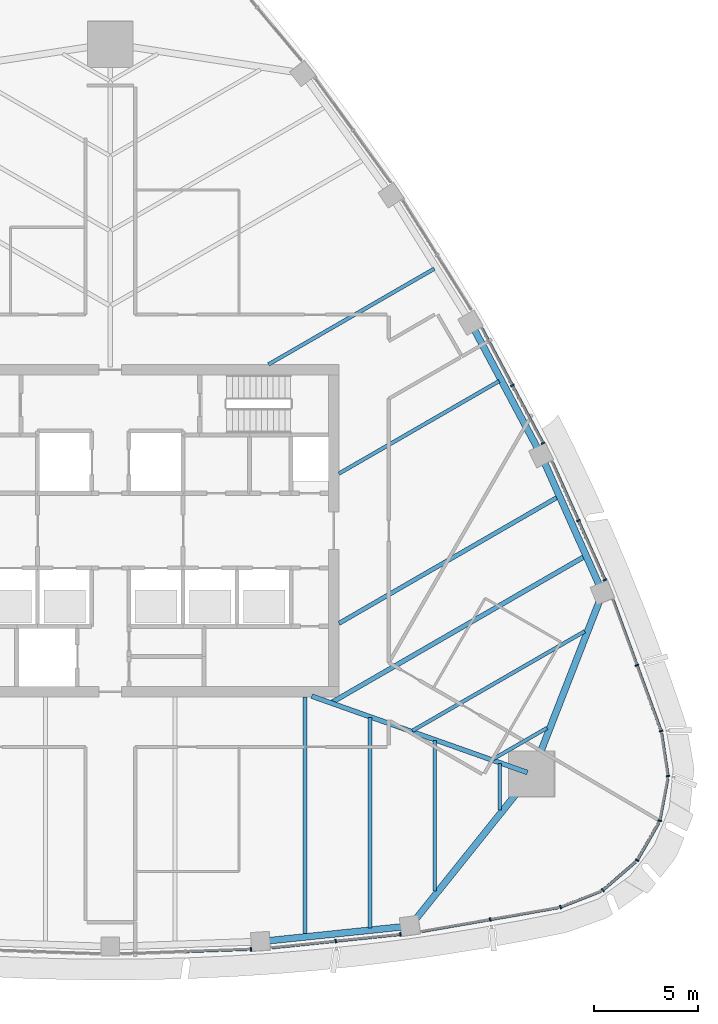
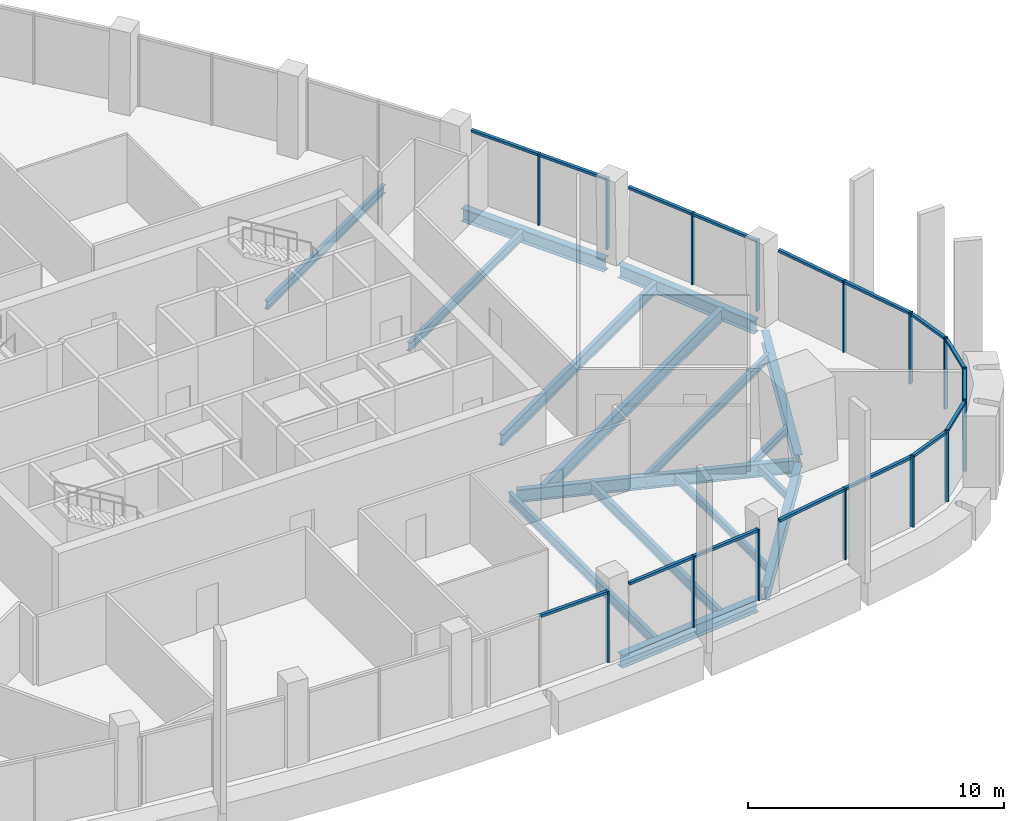
# One storey, part 4 of 16: 31 members, 16 beams, 11 elements without a shape of their own.
"""IFC4 building model written with IfcOpenShell, lengths in metres."""

from ifc_helpers import new_model, si_unit, direction, frame, origin, origin_2d, place, context, subcontext, project, spatial, rectangle, i_section, extrude, material, layer, layer_set, material_profile, profile_set, type_object, element, aggregate, save


model = new_model("IFC4")

# Units and contexts
model_context = context("Model", 3, precision=1e-05, world=origin(), true_north=direction((0.0, 1.0)))
body_context = subcontext(model_context, "Body", "Model", "MODEL_VIEW")
ifc_project = project(units=[si_unit("LENGTHUNIT", "METRE"), si_unit("AREAUNIT", "SQUARE_METRE"), si_unit("VOLUMEUNIT", "CUBIC_METRE"), si_unit("PLANEANGLEUNIT", "RADIAN"), si_unit("MASSUNIT", "GRAM", prefix="KILO")], contexts=[model_context])

# Site, building, storey
site_placement = place(None, origin())
site = spatial("IfcSite", under=ifc_project, at=site_placement, CompositionType="ELEMENT")
building_placement = place(site_placement, origin())
building = spatial("IfcBuilding", under=site, at=building_placement, Name="Sierra Prisma Convention Tower", CompositionType="ELEMENT")
storey_placement = place(building_placement, frame((0.0, 0.0, 303.0)))
storey = spatial("IfcBuildingStorey", under=building, at=storey_placement, Name="L69", CompositionType="ELEMENT", Elevation=303.0)

# Curtain wall, member
ifc_material_1 = material(Name="Aluminium and glass curtain wall", Category="aluminium")
ifc_layer = layer(ifc_material_1, 0.179931640625)
ifc_layer_set = layer_set([ifc_layer], Name="CW-1 Plain shaft curtain wall")
curtain_wall_type = type_object("IfcCurtainWallType", Name="CW-1 Plain shaft curtain wall", PredefinedType="NOTDEFINED", material=ifc_layer_set)
curtain_wall_1_placement = place(storey_placement, origin())
curtain_wall_1 = element("IfcCurtainWall", 1, at=curtain_wall_1_placement, inside=storey, type_object=curtain_wall_type, Name="CW-1 S4 L69", PredefinedType="NOTDEFINED")
ifc_material_2 = material(Name="Aluminium 6063-T6 bronze anodised", Category="aluminium")
ifc_material_profile_1 = material_profile(ifc_material_2, rectangle(XDim=0.179931640625, YDim=0.070068359375, at=origin_2d()), Name="ALU MULLION 70x180")
ifc_profile_set_1 = profile_set([ifc_material_profile_1], Name="Aluminium 6063-T6 bronze anodised")
member_type_1 = type_object("IfcMemberType", Name="CW mullion bronze", PredefinedType="MULLION", material=ifc_profile_set_1)
member_1_placement = place(storey_placement, frame((6.7607421875, -20.13671875, 0.0), z_axis=(0.0, 0.0, 1.0), x_axis=(-0.034470032902, 0.999405731839, 0.0)))
member_1 = element("IfcMember", 2, at=member_1_placement, type_object=member_type_1, Name="CW-1 mullion S4.3", PredefinedType="MULLION", context=body_context, shape_type="SweptSolid", body=[
    extrude(rectangle(XDim=0.179931640625, YDim=0.070068359375, at=origin_2d()), origin(), (0.0, 0.0, 1.0), 3.39990234375),
])

# Curtain wall, members
curtain_wall_2_placement = place(storey_placement, origin())
curtain_wall_2 = element("IfcCurtainWall", 3, at=curtain_wall_2_placement, inside=storey, type_object=curtain_wall_type, Name="CW-1 S5 L69", PredefinedType="NOTDEFINED")
member_2_placement = place(storey_placement, frame((10.84716796875, -19.7470703125, 0.0), z_axis=(0.0, 0.0, 1.0), x_axis=(-0.103246271836, 0.994655823565, 0.0)))
member_2 = element("IfcMember", 4, at=member_2_placement, type_object=member_type_1, Name="CW-1 mullion S5.2", PredefinedType="MULLION", context=body_context, shape_type="SweptSolid", body=[
    extrude(rectangle(XDim=0.179931640625, YDim=0.070068359375, at=origin_2d()), origin(), (0.0, 0.0, 1.0), 3.39990234375),
])
member_3_placement = place(storey_placement, frame((13.95458984375, -19.424560546875, 0.0), z_axis=(0.0, 0.0, 1.0), x_axis=(-0.103246271836, 0.994655823565, 0.0)))
member_3 = element("IfcMember", 5, at=member_3_placement, type_object=member_type_1, Name="CW-1 mullion S5.3", PredefinedType="MULLION", context=body_context, shape_type="SweptSolid", body=[
    extrude(rectangle(XDim=0.179931640625, YDim=0.070068359375, at=origin_2d()), origin(), (0.0, 0.0, 1.0), 3.39990234375),
])

# Curtain wall, member
curtain_wall_3_placement = place(storey_placement, origin())
curtain_wall_3 = element("IfcCurtainWall", 6, at=curtain_wall_3_placement, inside=storey, type_object=curtain_wall_type, Name="CW-1 S6 L69", PredefinedType="NOTDEFINED")
member_4_placement = place(storey_placement, frame((18.279052734375, -18.70849609375, 0.0), z_axis=(0.0, 0.0, 1.0), x_axis=(-0.171531808858, 0.98517858206, 0.0)))
member_4 = element("IfcMember", 7, at=member_4_placement, type_object=member_type_1, Name="CW-1 mullion S6.2", PredefinedType="MULLION", context=body_context, shape_type="SweptSolid", body=[
    extrude(rectangle(XDim=0.179931640625, YDim=0.070068359375, at=origin_2d()), origin(), (0.0, 0.0, 1.0), 3.39990234375),
])

curtain_wall_4_placement = place(storey_placement, origin())
curtain_wall_4 = element("IfcCurtainWall", 8, at=curtain_wall_4_placement, inside=storey, type_object=curtain_wall_type, Name="CW-1 SE1 L69", PredefinedType="NOTDEFINED")
member_5_placement = place(storey_placement, frame((21.6669921875, -18.111572265625, 0.0), z_axis=(0.0, 0.0, 1.0), x_axis=(-0.366205951296, 0.930533825949, 0.0)))
member_5 = element("IfcMember", 9, at=member_5_placement, type_object=member_type_1, Name="CW-1 mullion SE1.1", PredefinedType="MULLION", context=body_context, shape_type="SweptSolid", body=[
    extrude(rectangle(XDim=0.179931640625, YDim=0.070068359375, at=origin_2d()), origin(), (0.0, 0.0, 1.0), 3.39990234375),
])

curtain_wall_5_placement = place(storey_placement, origin())
curtain_wall_5 = element("IfcCurtainWall", 10, at=curtain_wall_5_placement, inside=storey, type_object=curtain_wall_type, Name="CW-1 SE2 L69", PredefinedType="NOTDEFINED")
member_6_placement = place(storey_placement, frame((23.7001953125, -17.299072265625, 0.0), z_axis=(0.0, 0.0, 1.0), x_axis=(-0.652639542115, 0.75766854763, 0.0)))
member_6 = element("IfcMember", 11, at=member_6_placement, type_object=member_type_1, Name="CW-1 mullion SE2.1", PredefinedType="MULLION", context=body_context, shape_type="SweptSolid", body=[
    extrude(rectangle(XDim=0.179931640625, YDim=0.070068359375, at=origin_2d()), origin(), (0.0, 0.0, 1.0), 3.39990234375),
])

curtain_wall_6_placement = place(storey_placement, origin())
curtain_wall_6 = element("IfcCurtainWall", 12, at=curtain_wall_6_placement, inside=storey, type_object=curtain_wall_type, Name="CW-1 SE3 L69", PredefinedType="NOTDEFINED")
member_7_placement = place(storey_placement, frame((25.351318359375, -15.861328125, 0.0), z_axis=(0.0, 0.0, 1.0), x_axis=(-0.866025403784, 0.5, 0.0)))
member_7 = element("IfcMember", 13, at=member_7_placement, type_object=member_type_1, Name="CW-1 mullion SE3.1", PredefinedType="MULLION", context=body_context, shape_type="SweptSolid", body=[
    extrude(rectangle(XDim=0.179931640625, YDim=0.070068359375, at=origin_2d()), origin(), (0.0, 0.0, 1.0), 3.39990234375),
])

curtain_wall_7_placement = place(storey_placement, origin())
curtain_wall_7 = element("IfcCurtainWall", 14, at=curtain_wall_7_placement, inside=storey, type_object=curtain_wall_type, Name="CW-1 SE4 L69", PredefinedType="NOTDEFINED")
member_8_placement = place(storey_placement, frame((26.43603515625, -13.95947265625, 0.0), z_axis=(0.0, 0.0, 1.0), x_axis=(-0.982479980954, 0.186368149171, 0.0)))
member_8 = element("IfcMember", 15, at=member_8_placement, type_object=member_type_1, Name="CW-1 mullion SE4.1", PredefinedType="MULLION", context=body_context, shape_type="SweptSolid", body=[
    extrude(rectangle(XDim=0.179931640625, YDim=0.070068359375, at=origin_2d()), origin(), (0.0, 0.0, 1.0), 3.39990234375),
])

curtain_wall_8_placement = place(storey_placement, origin())
curtain_wall_8 = element("IfcCurtainWall", 16, at=curtain_wall_8_placement, inside=storey, type_object=curtain_wall_type, Name="CW-1 SE5 L69", PredefinedType="NOTDEFINED")
member_9_placement = place(storey_placement, frame((26.832763671875, -11.806396484375, 0.0), z_axis=(0.0, 0.0, 1.0), x_axis=(-0.988968908001, -0.148123256135, 0.0)))
member_9 = element("IfcMember", 17, at=member_9_placement, type_object=member_type_1, Name="CW-1 mullion SE5.1", PredefinedType="MULLION", context=body_context, shape_type="SweptSolid", body=[
    extrude(rectangle(XDim=0.179931640625, YDim=0.070068359375, at=origin_2d()), origin(), (0.0, 0.0, 1.0), 3.39990234375),
])

# Curtain wall, members
curtain_wall_9_placement = place(storey_placement, origin())
curtain_wall_9 = element("IfcCurtainWall", 18, at=curtain_wall_9_placement, inside=storey, type_object=curtain_wall_type, Name="CW-1 NE1 L69", PredefinedType="NOTDEFINED")
member_10_placement = place(storey_placement, frame((26.501220703125, -9.640869140625, 0.0), z_axis=(0.0, 0.0, 1.0), x_axis=(-0.938955583757, -0.344038387002, 0.0)))
member_10 = element("IfcMember", 19, at=member_10_placement, type_object=member_type_1, Name="CW-1 mullion NE1.1", PredefinedType="MULLION", context=body_context, shape_type="SweptSolid", body=[
    extrude(rectangle(XDim=0.179931640625, YDim=0.070068359375, at=origin_2d()), origin(), (0.0, 0.0, 1.0), 3.39990234375),
])
member_11_placement = place(storey_placement, frame((25.341552734375, -6.475830078125, 0.0), z_axis=(0.0, 0.0, 1.0), x_axis=(-0.938955583757, -0.344038387002, 0.0)))
member_11 = element("IfcMember", 20, at=member_11_placement, type_object=member_type_1, Name="CW-1 mullion NE1.2", PredefinedType="MULLION", context=body_context, shape_type="SweptSolid", body=[
    extrude(rectangle(XDim=0.179931640625, YDim=0.070068359375, at=origin_2d()), origin(), (0.0, 0.0, 1.0), 3.39990234375),
])

curtain_wall_10_placement = place(storey_placement, origin())
curtain_wall_10 = element("IfcCurtainWall", 21, at=curtain_wall_10_placement, inside=storey, type_object=curtain_wall_type, Name="CW-1 NE2 L69", PredefinedType="NOTDEFINED")
member_12_placement = place(storey_placement, frame((23.799560546875, -2.372802734375, 0.0), z_axis=(0.0, 0.0, 1.0), x_axis=(-0.913020347147, -0.407914017527, 0.0)))
member_12 = element("IfcMember", 22, at=member_12_placement, type_object=member_type_1, Name="CW-1 mullion NE2.1", PredefinedType="MULLION", context=body_context, shape_type="SweptSolid", body=[
    extrude(rectangle(XDim=0.179931640625, YDim=0.070068359375, at=origin_2d()), origin(), (0.0, 0.0, 1.0), 3.39990234375),
])
member_13_placement = place(storey_placement, frame((22.525146484375, 0.4794921875, 0.0), z_axis=(0.0, 0.0, 1.0), x_axis=(-0.913020347147, -0.407914017527, 0.0)))
member_13 = element("IfcMember", 23, at=member_13_placement, type_object=member_type_1, Name="CW-1 mullion NE2.2", PredefinedType="MULLION", context=body_context, shape_type="SweptSolid", body=[
    extrude(rectangle(XDim=0.179931640625, YDim=0.070068359375, at=origin_2d()), origin(), (0.0, 0.0, 1.0), 3.39990234375),
])

curtain_wall_11_placement = place(storey_placement, origin())
curtain_wall_11 = element("IfcCurtainWall", 24, at=curtain_wall_11_placement, inside=storey, type_object=curtain_wall_type, Name="CW-1 NE3 L69", PredefinedType="NOTDEFINED")
member_14_placement = place(storey_placement, frame((20.8193359375, 4.21337890625, 0.0), z_axis=(0.0, 0.0, 1.0), x_axis=(-0.882745768911, -0.469850941757, 0.0)))
member_14 = element("IfcMember", 25, at=member_14_placement, type_object=member_type_1, Name="CW-1 mullion NE3.1", PredefinedType="MULLION", context=body_context, shape_type="SweptSolid", body=[
    extrude(rectangle(XDim=0.179931640625, YDim=0.070068359375, at=origin_2d()), origin(), (0.0, 0.0, 1.0), 3.39990234375),
])
member_15_placement = place(storey_placement, frame((19.34423828125, 6.985107421875, 0.0), z_axis=(0.0, 0.0, 1.0), x_axis=(-0.882745768911, -0.469850941757, 0.0)))
member_15 = element("IfcMember", 26, at=member_15_placement, type_object=member_type_1, Name="CW-1 mullion NE3.2", PredefinedType="MULLION", context=body_context, shape_type="SweptSolid", body=[
    extrude(rectangle(XDim=0.179931640625, YDim=0.070068359375, at=origin_2d()), origin(), (0.0, 0.0, 1.0), 3.39990234375),
])

# Member
ifc_material_3 = material(Name="Aluminium 6063-T6 bronze anodised", Category="aluminium")
ifc_material_profile_2 = material_profile(ifc_material_3, rectangle(XDim=0.139892578125, YDim=0.1201171875, at=origin_2d()), Name="ALU TRANSOM 120x140")
ifc_profile_set_2 = profile_set([ifc_material_profile_2], Name="Aluminium 6063-T6 bronze anodised")
member_type_2 = type_object("IfcMemberType", Name="CW transom bronze", PredefinedType="USERDEFINED", material=ifc_profile_set_2)
member_16_placement = place(storey_placement, frame((3.65771484375, -20.243896484375, 3.340087890625), z_axis=(0.999404203467, 0.034514317204, 0.0), x_axis=(-0.034514317204, 0.999404203467, 0.0)))
member_16 = element("IfcMember", 27, at=member_16_placement, type_object=member_type_2, Name="CW-1 transom S4.2", ObjectType="TRANSOM", PredefinedType="USERDEFINED", context=body_context, shape_type="SweptSolid", body=[
    extrude(rectangle(XDim=0.139892578125, YDim=0.1201171875, at=origin_2d()), origin(), (0.0, 0.0, 1.0), 3.06982421875),
])

aggregate(curtain_wall_1, [member_1, member_16])

member_17_placement = place(storey_placement, frame((7.774658203125, -20.06591796875, 3.340087890625), z_axis=(0.994659862638, 0.10320735273, 0.0), x_axis=(-0.10320735273, 0.994659862638, 0.0)))
member_17 = element("IfcMember", 28, at=member_17_placement, type_object=member_type_2, Name="CW-1 transom S5.1", ObjectType="TRANSOM", PredefinedType="USERDEFINED", context=body_context, shape_type="SweptSolid", body=[
    extrude(rectangle(XDim=0.139892578125, YDim=0.1201171875, at=origin_2d()), origin(), (0.0, 0.0, 1.0), 3.053955078125),
])

member_18_placement = place(storey_placement, frame((10.882080078125, -19.743408203125, 3.340087890625), z_axis=(0.994659862638, 0.10320735273, 0.0), x_axis=(-0.10320735273, 0.994659862638, 0.0)))
member_18 = element("IfcMember", 29, at=member_18_placement, type_object=member_type_2, Name="CW-1 transom S5.2", ObjectType="TRANSOM", PredefinedType="USERDEFINED", context=body_context, shape_type="SweptSolid", body=[
    extrude(rectangle(XDim=0.139892578125, YDim=0.1201171875, at=origin_2d()), origin(), (0.0, 0.0, 1.0), 3.053955078125),
])

aggregate(curtain_wall_2, [member_2, member_3, member_17, member_18])

member_19_placement = place(storey_placement, frame((14.99267578125, -19.28076171875, 3.340087890625), z_axis=(0.985180796635, 0.171519089144, 0.0), x_axis=(-0.171519089144, 0.985180796635, 0.0)))
member_19 = element("IfcMember", 30, at=member_19_placement, type_object=member_type_2, Name="CW-1 transom S6.1", ObjectType="TRANSOM", PredefinedType="USERDEFINED", context=body_context, shape_type="SweptSolid", body=[
    extrude(rectangle(XDim=0.139892578125, YDim=0.1201171875, at=origin_2d()), origin(), (0.0, 0.0, 1.0), 3.30078125),
])

member_20_placement = place(storey_placement, frame((18.3134765625, -18.70263671875, 3.340087890625), z_axis=(0.98516829619, 0.171590874412, 0.0), x_axis=(-0.171590874412, 0.98516829619, 0.0)))
member_20 = element("IfcMember", 31, at=member_20_placement, type_object=member_type_2, Name="CW-1 transom S6.2", ObjectType="TRANSOM", PredefinedType="USERDEFINED", context=body_context, shape_type="SweptSolid", body=[
    extrude(rectangle(XDim=0.139892578125, YDim=0.1201171875, at=origin_2d()), origin(), (0.0, 0.0, 1.0), 3.301025390625),
])

aggregate(curtain_wall_3, [member_4, member_19, member_20])

member_21_placement = place(storey_placement, frame((21.69970703125, -18.0986328125, 3.340087890625), z_axis=(0.93052273459, 0.366234133325, 0.0), x_axis=(-0.366234133325, 0.93052273459, 0.0)))
member_21 = element("IfcMember", 32, at=member_21_placement, type_object=member_type_2, Name="CW-1 transom SE1.1", ObjectType="TRANSOM", PredefinedType="USERDEFINED", context=body_context, shape_type="SweptSolid", body=[
    extrude(rectangle(XDim=0.139892578125, YDim=0.1201171875, at=origin_2d()), origin(), (0.0, 0.0, 1.0), 2.05126953125),
])

aggregate(curtain_wall_4, [member_5, member_21])

member_22_placement = place(storey_placement, frame((23.7265625, -17.276123046875, 3.340087890625), z_axis=(0.757641284496, 0.652671191357, 0.0), x_axis=(-0.652671191357, 0.757641284496, 0.0)))
member_22 = element("IfcMember", 33, at=member_22_placement, type_object=member_type_2, Name="CW-1 transom SE2.1", ObjectType="TRANSOM", PredefinedType="USERDEFINED", context=body_context, shape_type="SweptSolid", body=[
    extrude(rectangle(XDim=0.139892578125, YDim=0.1201171875, at=origin_2d()), origin(), (0.0, 0.0, 1.0), 2.05126953125),
])

aggregate(curtain_wall_5, [member_6, member_22])

member_23_placement = place(storey_placement, frame((25.368896484375, -15.8310546875, 3.340087890625), z_axis=(0.500017803555, 0.866015124653, 0.0), x_axis=(-0.866015124653, 0.500017803555, 0.0)))
member_23 = element("IfcMember", 34, at=member_23_placement, type_object=member_type_2, Name="CW-1 transom SE3.1", ObjectType="TRANSOM", PredefinedType="USERDEFINED", context=body_context, shape_type="SweptSolid", body=[
    extrude(rectangle(XDim=0.139892578125, YDim=0.1201171875, at=origin_2d()), origin(), (0.0, 0.0, 1.0), 2.05126953125),
])

aggregate(curtain_wall_6, [member_7, member_23])

member_24_placement = place(storey_placement, frame((26.442626953125, -13.925048828125, 3.340087890625), z_axis=(0.186379208343, 0.982477883058, 0.0), x_axis=(-0.982477883058, 0.186379208343, 0.0)))
member_24 = element("IfcMember", 35, at=member_24_placement, type_object=member_type_2, Name="CW-1 transom SE4.1", ObjectType="TRANSOM", PredefinedType="USERDEFINED", context=body_context, shape_type="SweptSolid", body=[
    extrude(rectangle(XDim=0.139892578125, YDim=0.1201171875, at=origin_2d()), origin(), (0.0, 0.0, 1.0), 2.05126953125),
])

aggregate(curtain_wall_7, [member_8, member_24])

member_25_placement = place(storey_placement, frame((26.82763671875, -11.771728515625, 3.340087890625), z_axis=(-0.148183306125, 0.988959912123, 0.0), x_axis=(-0.988959912123, -0.148183306125, 0.0)))
member_25 = element("IfcMember", 36, at=member_25_placement, type_object=member_type_2, Name="CW-1 transom SE5.1", ObjectType="TRANSOM", PredefinedType="USERDEFINED", context=body_context, shape_type="SweptSolid", body=[
    extrude(rectangle(XDim=0.139892578125, YDim=0.1201171875, at=origin_2d()), origin(), (0.0, 0.0, 1.0), 2.05126953125),
])

aggregate(curtain_wall_8, [member_9, member_25])

member_26_placement = place(storey_placement, frame((26.4892578125, -9.608154296875, 3.340087890625), z_axis=(-0.344004710981, 0.938967922148, 0.0), x_axis=(-0.938967922148, -0.344004710981, 0.0)))
member_26 = element("IfcMember", 37, at=member_26_placement, type_object=member_type_2, Name="CW-1 transom NE1.1", ObjectType="TRANSOM", PredefinedType="USERDEFINED", context=body_context, shape_type="SweptSolid", body=[
    extrude(rectangle(XDim=0.139892578125, YDim=0.1201171875, at=origin_2d()), origin(), (0.0, 0.0, 1.0), 3.30078125),
])

member_27_placement = place(storey_placement, frame((25.32958984375, -6.443115234375, 3.340087890625), z_axis=(-0.344069919298, 0.938944029554, 0.0), x_axis=(-0.938944029554, -0.344069919298, 0.0)))
member_27 = element("IfcMember", 38, at=member_27_placement, type_object=member_type_2, Name="CW-1 transom NE1.2", ObjectType="TRANSOM", PredefinedType="USERDEFINED", context=body_context, shape_type="SweptSolid", body=[
    extrude(rectangle(XDim=0.139892578125, YDim=0.1201171875, at=origin_2d()), origin(), (0.0, 0.0, 1.0), 3.301025390625),
])

aggregate(curtain_wall_9, [member_10, member_11, member_26, member_27])

member_28_placement = place(storey_placement, frame((23.78515625, -2.341064453125, 3.340087890625), z_axis=(-0.407910289811, 0.913022012586, 0.0), x_axis=(-0.913022012586, -0.407910289811, 0.0)))
member_28 = element("IfcMember", 39, at=member_28_placement, type_object=member_type_2, Name="CW-1 transom NE2.1", ObjectType="TRANSOM", PredefinedType="USERDEFINED", context=body_context, shape_type="SweptSolid", body=[
    extrude(rectangle(XDim=0.139892578125, YDim=0.1201171875, at=origin_2d()), origin(), (0.0, 0.0, 1.0), 3.05419921875),
])

member_29_placement = place(storey_placement, frame((22.5107421875, 0.511474609375, 3.340087890625), z_axis=(-0.407910289811, 0.913022012586, 0.0), x_axis=(-0.913022012586, -0.407910289811, 0.0)))
member_29 = element("IfcMember", 40, at=member_29_placement, type_object=member_type_2, Name="CW-1 transom NE2.2", ObjectType="TRANSOM", PredefinedType="USERDEFINED", context=body_context, shape_type="SweptSolid", body=[
    extrude(rectangle(XDim=0.139892578125, YDim=0.1201171875, at=origin_2d()), origin(), (0.0, 0.0, 1.0), 3.05419921875),
])

aggregate(curtain_wall_10, [member_12, member_13, member_28, member_29])

member_30_placement = place(storey_placement, frame((20.802978515625, 4.244140625, 3.340087890625), z_axis=(-0.46984508333, 0.882748887097, 0.0), x_axis=(-0.882748887097, -0.46984508333, 0.0)))
member_30 = element("IfcMember", 41, at=member_30_placement, type_object=member_type_2, Name="CW-1 transom NE3.1", ObjectType="TRANSOM", PredefinedType="USERDEFINED", context=body_context, shape_type="SweptSolid", body=[
    extrude(rectangle(XDim=0.139892578125, YDim=0.1201171875, at=origin_2d()), origin(), (0.0, 0.0, 1.0), 3.06982421875),
])

member_31_placement = place(storey_placement, frame((19.32763671875, 7.01611328125, 3.340087890625), z_axis=(-0.46984508333, 0.882748887097, 0.0), x_axis=(-0.882748887097, -0.46984508333, 0.0)))
member_31 = element("IfcMember", 42, at=member_31_placement, type_object=member_type_2, Name="CW-1 transom NE3.2", ObjectType="TRANSOM", PredefinedType="USERDEFINED", context=body_context, shape_type="SweptSolid", body=[
    extrude(rectangle(XDim=0.139892578125, YDim=0.1201171875, at=origin_2d()), origin(), (0.0, 0.0, 1.0), 3.06982421875),
])

aggregate(curtain_wall_11, [member_14, member_15, member_30, member_31])

# Beams
ifc_material_4 = material(Name="Steel ASTM A992 Gr 50", Category="steel")
ifc_material_profile_3 = material_profile(ifc_material_4, i_section(OverallWidth=0.172119140625, OverallDepth=0.35791015625, WebThickness=0.0078125, FlangeThickness=0.01318359375, at=origin_2d()), Name="W360x57")
ifc_profile_set_3 = profile_set([ifc_material_profile_3], Name="Steel ASTM A992 Gr 50")
beam_type_1 = type_object("IfcBeamType", Name="Floor joist W360x57", PredefinedType="JOIST", material=ifc_profile_set_3)
beam_1_placement = place(storey_placement, frame((15.607177734375, -17.34716796875, -0.3291015625), z_axis=(0.0, 1.0, 0.0), x_axis=(-1.0, 0.0, 0.0)))
element("IfcBeam", 43, at=beam_1_placement, inside=storey, type_object=beam_type_1, Name="Floor joist L69 S12", PredefinedType="JOIST", context=body_context, shape_type="SweptSolid", body=[
    extrude(i_section(OverallWidth=0.172119140625, OverallDepth=0.35791015625, WebThickness=0.0078125, FlangeThickness=0.01318359375, at=origin_2d()), origin(), (0.0, 0.0, 1.0), 7.2421875),
])
beam_2_placement = place(storey_placement, frame((18.728515625, -13.451904296875, -0.3291015625), z_axis=(0.0, 1.0, 0.0), x_axis=(-1.0, 0.0, 0.0)))
element("IfcBeam", 44, at=beam_2_placement, inside=storey, type_object=beam_type_1, Name="Floor joist L69 S13", PredefinedType="JOIST", context=body_context, shape_type="SweptSolid", body=[
    extrude(i_section(OverallWidth=0.172119140625, OverallDepth=0.35791015625, WebThickness=0.0078125, FlangeThickness=0.01318359375, at=origin_2d()), origin(), (0.0, 0.0, 1.0), 2.24169921875),
])
beam_3_placement = place(storey_placement, frame((21.013916015625, -9.493408203125, -0.3291015625), z_axis=(-0.866043787497, -0.499968157123, 0.0), x_axis=(0.499968157123, -0.866043787497, 0.0)))
element("IfcBeam", 45, at=beam_3_placement, inside=storey, type_object=beam_type_1, Name="Floor joist L69 NE01", PredefinedType="JOIST", context=body_context, shape_type="SweptSolid", body=[
    extrude(i_section(OverallWidth=0.172119140625, OverallDepth=0.35791015625, WebThickness=0.0078125, FlangeThickness=0.01318359375, at=origin_2d()), origin(), (0.0, 0.0, 1.0), 3.010498046875),
])
ifc_material_5 = material(Name="Steel ASTM A992 Gr 50", Category="steel")
ifc_material_profile_4 = material_profile(ifc_material_5, i_section(OverallWidth=0.177978515625, OverallDepth=0.406982421875, WebThickness=0.0078125, FlangeThickness=0.0126953125, at=origin_2d()), Name="W410x60")
ifc_profile_set_4 = profile_set([ifc_material_profile_4], Name="Steel ASTM A992 Gr 50")
beam_type_2 = type_object("IfcBeamType", Name="Floor joist W410x60", PredefinedType="JOIST", material=ifc_profile_set_4)
beam_4_placement = place(storey_placement, frame((22.82666015625, -4.842529296875, -0.353515625), z_axis=(-0.866029280787, -0.499993284775, 0.0), x_axis=(0.499993284775, -0.866029280787, 0.0)))
element("IfcBeam", 46, at=beam_4_placement, inside=storey, type_object=beam_type_2, Name="Floor joist L69 NE02", PredefinedType="JOIST", context=body_context, shape_type="SweptSolid", body=[
    extrude(i_section(OverallWidth=0.177978515625, OverallDepth=0.406982421875, WebThickness=0.0078125, FlangeThickness=0.0126953125, at=origin_2d()), origin(), (0.0, 0.0, 1.0), 9.572021484375),
])
beam_5_placement = place(storey_placement, frame((18.707763671875, 7.196533203125, -0.353515625), z_axis=(-0.866031643847, -0.499989191739, 0.0), x_axis=(0.499989191739, -0.866031643847, 0.0)))
element("IfcBeam", 47, at=beam_5_placement, inside=storey, type_object=beam_type_2, Name="Floor joist L69 NE06", PredefinedType="JOIST", context=body_context, shape_type="SweptSolid", body=[
    extrude(i_section(OverallWidth=0.177978515625, OverallDepth=0.406982421875, WebThickness=0.0078125, FlangeThickness=0.0126953125, at=origin_2d()), origin(), (0.0, 0.0, 1.0), 8.900146484375),
])
beam_6_placement = place(storey_placement, frame((15.58642578125, 12.60302734375, -0.353515625), z_axis=(-0.866031463807, -0.499989503586, 0.0), x_axis=(0.499989503586, -0.866031463807, 0.0)))
element("IfcBeam", 48, at=beam_6_placement, inside=storey, type_object=beam_type_2, Name="Floor joist L69 NE08", PredefinedType="JOIST", context=body_context, shape_type="SweptSolid", body=[
    extrude(i_section(OverallWidth=0.177978515625, OverallDepth=0.406982421875, WebThickness=0.0078125, FlangeThickness=0.0126953125, at=origin_2d()), origin(), (0.0, 0.0, 1.0), 9.206298828125),
])
ifc_material_6 = material(Name="Steel ASTM A992 Gr 50", Category="steel")
ifc_material_profile_5 = material_profile(ifc_material_6, i_section(OverallWidth=0.18994140625, OverallDepth=0.45703125, WebThickness=0.009033203125, FlangeThickness=0.014404296875, at=origin_2d()), Name="W460x74")
ifc_profile_set_5 = profile_set([ifc_material_profile_5], Name="Steel ASTM A992 Gr 50")
beam_type_3 = type_object("IfcBeamType", Name="Floor joist W460x74", PredefinedType="JOIST", material=ifc_profile_set_5)
beam_7_placement = place(storey_placement, frame((9.3642578125, -19.43603515625, -0.37841796875), z_axis=(0.0, 1.0, 0.0), x_axis=(-1.0, 0.0, 0.0)))
element("IfcBeam", 49, at=beam_7_placement, inside=storey, type_object=beam_type_3, Name="Floor joist L69 S10", PredefinedType="JOIST", context=body_context, shape_type="SweptSolid", body=[
    extrude(i_section(OverallWidth=0.18994140625, OverallDepth=0.45703125, WebThickness=0.009033203125, FlangeThickness=0.014404296875, at=origin_2d()), origin(), (0.0, 0.0, 1.0), 11.43603515625),
])
beam_8_placement = place(storey_placement, frame((12.485595703125, -19.112060546875, -0.37841796875), z_axis=(0.0, 1.0, 0.0), x_axis=(-1.0, 0.0, 0.0)))
element("IfcBeam", 50, at=beam_8_placement, inside=storey, type_object=beam_type_3, Name="Floor joist L69 S11", PredefinedType="JOIST", context=body_context, shape_type="SweptSolid", body=[
    extrude(i_section(OverallWidth=0.18994140625, OverallDepth=0.45703125, WebThickness=0.009033203125, FlangeThickness=0.014404296875, at=origin_2d()), origin(), (0.0, 0.0, 1.0), 10.1123046875),
])
ifc_material_7 = material(Name="Steel ASTM A992 Gr 50", Category="steel")
ifc_material_profile_6 = material_profile(ifc_material_7, i_section(OverallWidth=0.208984375, OverallDepth=0.532958984375, WebThickness=0.01025390625, FlangeThickness=0.015625, at=origin_2d()), Name="W530x92")
ifc_profile_set_6 = profile_set([ifc_material_profile_6], Name="Steel ASTM A992 Gr 50")
beam_type_4 = type_object("IfcBeamType", Name="Floor joist W530x92", PredefinedType="JOIST", material=ifc_profile_set_6)
beam_9_placement = place(storey_placement, frame((21.51416015625, 1.6083984375, -0.41650390625), z_axis=(-0.866026855273, -0.49999748594, 0.0), x_axis=(0.49999748594, -0.866026855273, 0.0)))
element("IfcBeam", 51, at=beam_9_placement, inside=storey, type_object=beam_type_4, Name="Floor joist L69 NE04", PredefinedType="JOIST", context=body_context, shape_type="SweptSolid", body=[
    extrude(i_section(OverallWidth=0.208984375, OverallDepth=0.532958984375, WebThickness=0.01025390625, FlangeThickness=0.015625, at=origin_2d()), origin(), (0.0, 0.0, 1.0), 12.140625),
])
ifc_material_8 = material(Name="Steel ASTM A992 Gr 50", Category="steel")
ifc_material_profile_7 = material_profile(ifc_material_8, i_section(OverallWidth=0.22802734375, OverallDepth=0.60302734375, WebThickness=0.010498046875, FlangeThickness=0.014892578125, at=origin_2d()), Name="W610x101")
ifc_profile_set_7 = profile_set([ifc_material_profile_7], Name="Steel ASTM A992 Gr 50")
beam_type_5 = type_object("IfcBeamType", Name="Floor joist W610x101", PredefinedType="JOIST", material=ifc_profile_set_7)
beam_10_placement = place(storey_placement, frame((22.794189453125, -1.2568359375, -0.451416015625), z_axis=(-0.866022121337, -0.500005685323, 0.0), x_axis=(0.500005685323, -0.866022121337, 0.0)))
element("IfcBeam", 52, at=beam_10_placement, inside=storey, type_object=beam_type_5, Name="Floor joist L69 NE03", PredefinedType="JOIST", context=body_context, shape_type="SweptSolid", body=[
    extrude(i_section(OverallWidth=0.22802734375, OverallDepth=0.60302734375, WebThickness=0.010498046875, FlangeThickness=0.014892578125, at=origin_2d()), origin(), (0.0, 0.0, 1.0), 14.002685546875),
])
ifc_material_9 = material(Name="Steel ASTM A992 Gr 50", Category="steel")
ifc_material_profile_8 = material_profile(ifc_material_9, i_section(OverallWidth=0.22998046875, OverallDepth=0.616943359375, WebThickness=0.01318359375, FlangeThickness=0.022216796875, at=origin_2d()), Name="W610x140")
ifc_profile_set_8 = profile_set([ifc_material_profile_8], Name="Steel ASTM A992 Gr 50")
beam_type_6 = type_object("IfcBeamType", Name="Radial girder W610x140", PredefinedType="BEAM", material=ifc_profile_set_8)
beam_11_placement = place(storey_placement, frame((20.069091796875, -11.635986328125, -0.45849609375), z_axis=(-0.942657158687, 0.33376261201, 0.0), x_axis=(-0.33376261201, -0.942657158687, 0.0)))
element("IfcBeam", 53, at=beam_11_placement, inside=storey, type_object=beam_type_6, Name="Radial girder L69 SE", PredefinedType="BEAM", context=body_context, shape_type="SweptSolid", body=[
    extrude(i_section(OverallWidth=0.22998046875, OverallDepth=0.616943359375, WebThickness=0.01318359375, FlangeThickness=0.022216796875, at=origin_2d()), origin(), (0.0, 0.0, 1.0), 11.013916015625),
])
ifc_material_10 = material(Name="Steel ASTM A992 Gr 50", Category="steel")
ifc_material_profile_9 = material_profile(ifc_material_10, i_section(OverallWidth=0.324951171875, OverallDepth=0.615966796875, WebThickness=0.013916015625, FlangeThickness=0.021484375, at=origin_2d()), Name="W610x174")
ifc_profile_set_9 = profile_set([ifc_material_profile_9], Name="Steel ASTM A992 Gr 50")
beam_type_7 = type_object("IfcBeamType", Name="Spandrel beam W610x174", PredefinedType="BEAM", material=ifc_profile_set_9)
beam_12_placement = place(storey_placement, frame((7.561767578125, -19.736328125, -0.4580078125), z_axis=(0.994657545179, 0.103229684772, 0.0), x_axis=(-0.103229684772, 0.994657545179, 0.0)))
element("IfcBeam", 54, at=beam_12_placement, inside=storey, type_object=beam_type_7, Name="Spandrel L69-05", PredefinedType="BEAM", context=body_context, shape_type="SweptSolid", body=[
    extrude(i_section(OverallWidth=0.324951171875, OverallDepth=0.615966796875, WebThickness=0.013916015625, FlangeThickness=0.021484375, at=origin_2d()), origin(), (0.0, 0.0, 1.0), 6.5771484375),
])
beam_13_placement = place(storey_placement, frame((14.744384765625, -18.6337890625, -0.4580078125), z_axis=(0.625308684948, 0.780377503859, 0.0), x_axis=(-0.780377503859, 0.625308684948, 0.0)))
element("IfcBeam", 55, at=beam_13_placement, inside=storey, type_object=beam_type_7, Name="Spandrel L69-06", PredefinedType="BEAM", context=body_context, shape_type="SweptSolid", body=[
    extrude(i_section(OverallWidth=0.324951171875, OverallDepth=0.615966796875, WebThickness=0.013916015625, FlangeThickness=0.021484375, at=origin_2d()), origin(), (0.0, 0.0, 1.0), 8.585205078125),
])
beam_14_placement = place(storey_placement, frame((20.375, -11.493896484375, -0.4580078125), z_axis=(0.363177821715, 0.931719845133, 0.0), x_axis=(-0.931719845133, 0.363177821715, 0.0)))
element("IfcBeam", 56, at=beam_14_placement, inside=storey, type_object=beam_type_7, Name="Spandrel L69-07", PredefinedType="BEAM", context=body_context, shape_type="SweptSolid", body=[
    extrude(i_section(OverallWidth=0.324951171875, OverallDepth=0.615966796875, WebThickness=0.013916015625, FlangeThickness=0.021484375, at=origin_2d()), origin(), (0.0, 0.0, 1.0), 8.630859375),
])
beam_15_placement = place(storey_placement, frame((23.55615234375, -2.685546875, -0.4580078125), z_axis=(-0.407935453853, 0.913010769646, 0.0), x_axis=(-0.913010769646, -0.407935453853, 0.0)))
element("IfcBeam", 57, at=beam_15_placement, inside=storey, type_object=beam_type_7, Name="Spandrel L69-08", PredefinedType="BEAM", context=body_context, shape_type="SweptSolid", body=[
    extrude(i_section(OverallWidth=0.324951171875, OverallDepth=0.615966796875, WebThickness=0.013916015625, FlangeThickness=0.021484375, at=origin_2d()), origin(), (0.0, 0.0, 1.0), 6.577392578125),
])
beam_16_placement = place(storey_placement, frame((20.583251953125, 3.91259765625, -0.4580078125), z_axis=(-0.469859811705, 0.882741047729, 0.0), x_axis=(-0.882741047729, -0.469859811705, 0.0)))
element("IfcBeam", 58, at=beam_16_placement, inside=storey, type_object=beam_type_7, Name="Spandrel L69-09", PredefinedType="BEAM", context=body_context, shape_type="SweptSolid", body=[
    extrude(i_section(OverallWidth=0.324951171875, OverallDepth=0.615966796875, WebThickness=0.013916015625, FlangeThickness=0.021484375, at=origin_2d()), origin(), (0.0, 0.0, 1.0), 6.5771484375),
])

save(model, "model.ifc")
